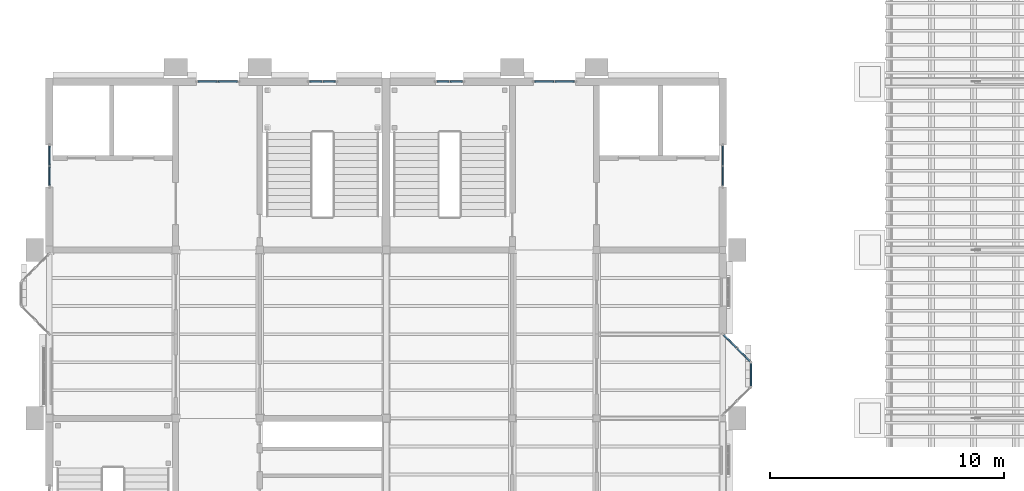
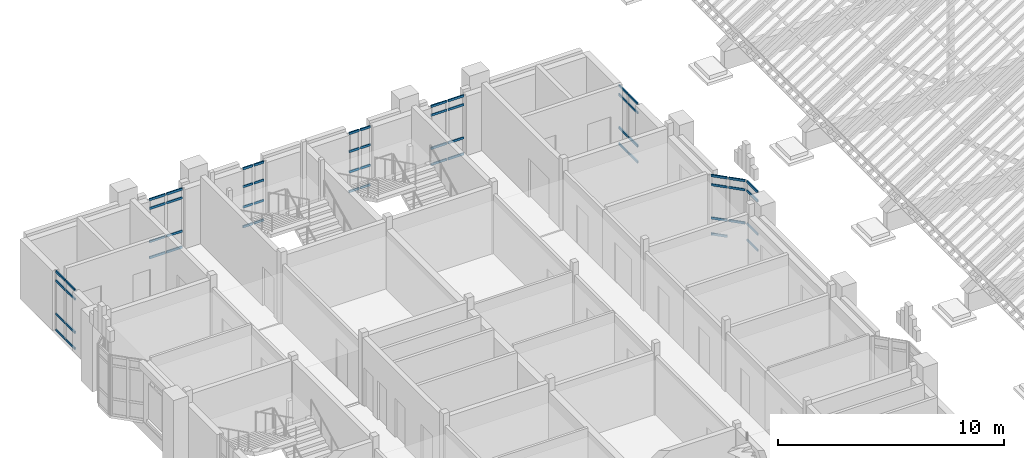
# One storey, part 23 of 71: 59 members, 8 elements without a shape of their own.
"""IFC4 building model written with IfcOpenShell, lengths in metres."""

from ifc_helpers import new_model, si_unit, direction, frame, origin, origin_2d, place, context, subcontext, project, spatial, rectangle, extrude, material, layer, layer_set, material_profile, profile_set, type_object, element, aggregate, save


model = new_model("IFC4")

# Units and contexts
model_context = context("Model", 3, precision=1e-05, world=origin(), true_north=direction((0.0, 1.0)))
body_context = subcontext(model_context, "Body", "Model", "MODEL_VIEW")
ifc_project = project(units=[si_unit("LENGTHUNIT", "METRE"), si_unit("AREAUNIT", "SQUARE_METRE"), si_unit("VOLUMEUNIT", "CUBIC_METRE"), si_unit("PLANEANGLEUNIT", "RADIAN"), si_unit("MASSUNIT", "GRAM", prefix="KILO")], contexts=[model_context])

# Site, building, storey
site_placement = place(None, origin())
site = spatial("IfcSite", under=ifc_project, at=site_placement, CompositionType="ELEMENT")
building_placement = place(site_placement, origin())
building = spatial("IfcBuilding", under=site, at=building_placement, Name="Mazhai Court Health Centre", CompositionType="ELEMENT")
storey_placement = place(building_placement, frame((0.0, 0.0, 10.199951171875)))
storey = spatial("IfcBuildingStorey", under=building, at=storey_placement, Name="L02", CompositionType="ELEMENT", Elevation=10.199951171875)

# Curtain wall, members
ifc_material_1 = material(Name="Teak timber frame, glazed", Category="wood")
ifc_layer_1 = layer(ifc_material_1, 0.10009765625)
ifc_layer_set_1 = layer_set([ifc_layer_1], Name="CURTAIN WALL TIMBER 900")
curtain_wall_type_1 = type_object("IfcCurtainWallType", Name="CURTAIN WALL TIMBER 900", PredefinedType="NOTDEFINED", material=ifc_layer_set_1)
curtain_wall_1_placement = place(storey_placement, origin())
curtain_wall_1 = element("IfcCurtainWall", 1, at=curtain_wall_1_placement, inside=storey, type_object=curtain_wall_type_1, Name="CW-V2-L02-A4", PredefinedType="NOTDEFINED")
ifc_material_2 = material(Name="Teak timber", Category="wood")
ifc_material_profile = material_profile(ifc_material_2, rectangle(XDim=0.06005859375, YDim=0.1201171875, at=origin_2d()), Name="CW TRANSOM 60x120")
ifc_profile_set = profile_set([ifc_material_profile], Name="Teak timber")
member_type = type_object("IfcMemberType", Name="CW TRANSOM 60x120", PredefinedType="USERDEFINED", material=ifc_profile_set)
member_1_placement = place(storey_placement, frame((6.199951171875, 37.760009765625, 0.030029296875), z_axis=(0.0, 1.0, 0.0), x_axis=(-1.0, 0.0, 0.0)))
member_1 = element("IfcMember", 2, at=member_1_placement, type_object=member_type, Name="CW transom 1.1", ObjectType="TRANSOM", PredefinedType="USERDEFINED", context=body_context, shape_type="SweptSolid", body=[
    extrude(rectangle(XDim=0.06005859375, YDim=0.1201171875, at=origin_2d()), origin(), (0.0, 0.0, 1.0), 0.81005859375),
])
member_2_placement = place(storey_placement, frame((6.199951171875, 37.760009765625, 0.900146484375), z_axis=(0.0, 1.0, 0.0), x_axis=(-1.0, 0.0, 0.0)))
member_2 = element("IfcMember", 3, at=member_2_placement, type_object=member_type, Name="CW transom 1.2", ObjectType="TRANSOM", PredefinedType="USERDEFINED", context=body_context, shape_type="SweptSolid", body=[
    extrude(rectangle(XDim=0.06005859375, YDim=0.1201171875, at=origin_2d()), origin(), (0.0, 0.0, 1.0), 0.81005859375),
])
member_3_placement = place(storey_placement, frame((6.199951171875, 37.760009765625, 2.699951171875), z_axis=(0.0, 1.0, 0.0), x_axis=(-1.0, 0.0, 0.0)))
member_3 = element("IfcMember", 4, at=member_3_placement, type_object=member_type, Name="CW transom 1.3", ObjectType="TRANSOM", PredefinedType="USERDEFINED", context=body_context, shape_type="SweptSolid", body=[
    extrude(rectangle(XDim=0.06005859375, YDim=0.1201171875, at=origin_2d()), origin(), (0.0, 0.0, 1.0), 0.81005859375),
])
member_4_placement = place(storey_placement, frame((6.199951171875, 37.760009765625, 3.18994140625), z_axis=(0.0, 1.0, 0.0), x_axis=(-1.0, 0.0, 0.0)))
member_4 = element("IfcMember", 5, at=member_4_placement, type_object=member_type, Name="CW transom 1.4", ObjectType="TRANSOM", PredefinedType="USERDEFINED", context=body_context, shape_type="SweptSolid", body=[
    extrude(rectangle(XDim=0.06005859375, YDim=0.1201171875, at=origin_2d()), origin(), (0.0, 0.0, 1.0), 0.81005859375),
])
member_5_placement = place(storey_placement, frame((6.199951171875, 38.6298828125, 0.030029296875), z_axis=(0.0, 1.0, 0.0), x_axis=(-1.0, 0.0, 0.0)))
member_5 = element("IfcMember", 6, at=member_5_placement, type_object=member_type, Name="CW transom 2.1", ObjectType="TRANSOM", PredefinedType="USERDEFINED", context=body_context, shape_type="SweptSolid", body=[
    extrude(rectangle(XDim=0.06005859375, YDim=0.1201171875, at=origin_2d()), origin(), (0.0, 0.0, 1.0), 0.81005859375),
])
member_6_placement = place(storey_placement, frame((6.199951171875, 38.6298828125, 0.900146484375), z_axis=(0.0, 1.0, 0.0), x_axis=(-1.0, 0.0, 0.0)))
member_6 = element("IfcMember", 7, at=member_6_placement, type_object=member_type, Name="CW transom 2.2", ObjectType="TRANSOM", PredefinedType="USERDEFINED", context=body_context, shape_type="SweptSolid", body=[
    extrude(rectangle(XDim=0.06005859375, YDim=0.1201171875, at=origin_2d()), origin(), (0.0, 0.0, 1.0), 0.81005859375),
])
member_7_placement = place(storey_placement, frame((6.199951171875, 38.6298828125, 2.699951171875), z_axis=(0.0, 1.0, 0.0), x_axis=(-1.0, 0.0, 0.0)))
member_7 = element("IfcMember", 8, at=member_7_placement, type_object=member_type, Name="CW transom 2.3", ObjectType="TRANSOM", PredefinedType="USERDEFINED", context=body_context, shape_type="SweptSolid", body=[
    extrude(rectangle(XDim=0.06005859375, YDim=0.1201171875, at=origin_2d()), origin(), (0.0, 0.0, 1.0), 0.81005859375),
])
member_8_placement = place(storey_placement, frame((6.199951171875, 38.6298828125, 3.18994140625), z_axis=(0.0, 1.0, 0.0), x_axis=(-1.0, 0.0, 0.0)))
member_8 = element("IfcMember", 9, at=member_8_placement, type_object=member_type, Name="CW transom 2.4", ObjectType="TRANSOM", PredefinedType="USERDEFINED", context=body_context, shape_type="SweptSolid", body=[
    extrude(rectangle(XDim=0.06005859375, YDim=0.1201171875, at=origin_2d()), origin(), (0.0, 0.0, 1.0), 0.81005859375),
])
aggregate(curtain_wall_1, [member_1, member_2, member_3, member_4, member_5, member_6, member_7, member_8])

curtain_wall_2_placement = place(storey_placement, origin())
curtain_wall_2 = element("IfcCurtainWall", 10, at=curtain_wall_2_placement, inside=storey, type_object=curtain_wall_type_1, Name="CW-V2-L02-ELIFT0", PredefinedType="NOTDEFINED")
member_9_placement = place(storey_placement, frame((12.56005859375, 42.199951171875, 0.030029296875), z_axis=(1.0, 0.0, 0.0), x_axis=(0.0, 1.0, 0.0)))
member_9 = element("IfcMember", 11, at=member_9_placement, type_object=member_type, Name="CW transom 1.1", ObjectType="TRANSOM", PredefinedType="USERDEFINED", context=body_context, shape_type="SweptSolid", body=[
    extrude(rectangle(XDim=0.06005859375, YDim=0.1201171875, at=origin_2d()), origin(), (0.0, 0.0, 1.0), 0.81005859375),
])
member_10_placement = place(storey_placement, frame((12.56005859375, 42.199951171875, 0.900146484375), z_axis=(1.0, 0.0, 0.0), x_axis=(0.0, 1.0, 0.0)))
member_10 = element("IfcMember", 12, at=member_10_placement, type_object=member_type, Name="CW transom 1.2", ObjectType="TRANSOM", PredefinedType="USERDEFINED", context=body_context, shape_type="SweptSolid", body=[
    extrude(rectangle(XDim=0.06005859375, YDim=0.1201171875, at=origin_2d()), origin(), (0.0, 0.0, 1.0), 0.81005859375),
])
member_11_placement = place(storey_placement, frame((12.56005859375, 42.199951171875, 2.699951171875), z_axis=(1.0, 0.0, 0.0), x_axis=(0.0, 1.0, 0.0)))
member_11 = element("IfcMember", 13, at=member_11_placement, type_object=member_type, Name="CW transom 1.3", ObjectType="TRANSOM", PredefinedType="USERDEFINED", context=body_context, shape_type="SweptSolid", body=[
    extrude(rectangle(XDim=0.06005859375, YDim=0.1201171875, at=origin_2d()), origin(), (0.0, 0.0, 1.0), 0.81005859375),
])
member_12_placement = place(storey_placement, frame((12.56005859375, 42.199951171875, 3.170166015625), z_axis=(1.0, 0.0, 0.0), x_axis=(0.0, 1.0, 0.0)))
member_12 = element("IfcMember", 14, at=member_12_placement, type_object=member_type, Name="CW transom 1.4", ObjectType="TRANSOM", PredefinedType="USERDEFINED", context=body_context, shape_type="SweptSolid", body=[
    extrude(rectangle(XDim=0.06005859375, YDim=0.1201171875, at=origin_2d()), origin(), (0.0, 0.0, 1.0), 0.81005859375),
])
member_13_placement = place(storey_placement, frame((13.429931640625, 42.199951171875, 0.030029296875), z_axis=(1.0, 0.0, 0.0), x_axis=(0.0, 1.0, 0.0)))
member_13 = element("IfcMember", 15, at=member_13_placement, type_object=member_type, Name="CW transom 2.1", ObjectType="TRANSOM", PredefinedType="USERDEFINED", context=body_context, shape_type="SweptSolid", body=[
    extrude(rectangle(XDim=0.06005859375, YDim=0.1201171875, at=origin_2d()), origin(), (0.0, 0.0, 1.0), 0.81005859375),
])
member_14_placement = place(storey_placement, frame((13.429931640625, 42.199951171875, 0.900146484375), z_axis=(1.0, 0.0, 0.0), x_axis=(0.0, 1.0, 0.0)))
member_14 = element("IfcMember", 16, at=member_14_placement, type_object=member_type, Name="CW transom 2.2", ObjectType="TRANSOM", PredefinedType="USERDEFINED", context=body_context, shape_type="SweptSolid", body=[
    extrude(rectangle(XDim=0.06005859375, YDim=0.1201171875, at=origin_2d()), origin(), (0.0, 0.0, 1.0), 0.81005859375),
])
member_15_placement = place(storey_placement, frame((13.429931640625, 42.199951171875, 2.699951171875), z_axis=(1.0, 0.0, 0.0), x_axis=(0.0, 1.0, 0.0)))
member_15 = element("IfcMember", 17, at=member_15_placement, type_object=member_type, Name="CW transom 2.3", ObjectType="TRANSOM", PredefinedType="USERDEFINED", context=body_context, shape_type="SweptSolid", body=[
    extrude(rectangle(XDim=0.06005859375, YDim=0.1201171875, at=origin_2d()), origin(), (0.0, 0.0, 1.0), 0.81005859375),
])
member_16_placement = place(storey_placement, frame((13.429931640625, 42.199951171875, 3.170166015625), z_axis=(1.0, 0.0, 0.0), x_axis=(0.0, 1.0, 0.0)))
member_16 = element("IfcMember", 18, at=member_16_placement, type_object=member_type, Name="CW transom 2.4", ObjectType="TRANSOM", PredefinedType="USERDEFINED", context=body_context, shape_type="SweptSolid", body=[
    extrude(rectangle(XDim=0.06005859375, YDim=0.1201171875, at=origin_2d()), origin(), (0.0, 0.0, 1.0), 0.81005859375),
])
aggregate(curtain_wall_2, [member_9, member_10, member_11, member_12, member_13, member_14, member_15, member_16])

ifc_material_3 = material(Name="Teak timber frame, glazed", Category="wood")
ifc_layer_2 = layer(ifc_material_3, 0.10009765625)
ifc_layer_set_2 = layer_set([ifc_layer_2], Name="CURTAIN WALL TIMBER 600")
curtain_wall_type_2 = type_object("IfcCurtainWallType", Name="CURTAIN WALL TIMBER 600", PredefinedType="NOTDEFINED", material=ifc_layer_set_2)
curtain_wall_3_placement = place(storey_placement, origin())
curtain_wall_3 = element("IfcCurtainWall", 19, at=curtain_wall_3_placement, inside=storey, type_object=curtain_wall_type_2, Name="CW-V2-L02-ESTAIR1", PredefinedType="NOTDEFINED")
member_17_placement = place(storey_placement, frame((17.340087890625, 42.199951171875, 0.030029296875), z_axis=(1.0, 0.0, 0.0), x_axis=(0.0, 1.0, 0.0)))
member_17 = element("IfcMember", 20, at=member_17_placement, type_object=member_type, Name="CW transom 1.1", ObjectType="TRANSOM", PredefinedType="USERDEFINED", context=body_context, shape_type="SweptSolid", body=[
    extrude(rectangle(XDim=0.06005859375, YDim=0.1201171875, at=origin_2d()), origin(), (0.0, 0.0, 1.0), 0.510009765625),
])
member_18_placement = place(storey_placement, frame((17.340087890625, 42.199951171875, 1.10009765625), z_axis=(1.0, 0.0, 0.0), x_axis=(0.0, 1.0, 0.0)))
member_18 = element("IfcMember", 21, at=member_18_placement, type_object=member_type, Name="CW transom 1.2", ObjectType="TRANSOM", PredefinedType="USERDEFINED", context=body_context, shape_type="SweptSolid", body=[
    extrude(rectangle(XDim=0.06005859375, YDim=0.1201171875, at=origin_2d()), origin(), (0.0, 0.0, 1.0), 0.510009765625),
])
member_19_placement = place(storey_placement, frame((17.340087890625, 42.199951171875, 2.199951171875), z_axis=(1.0, 0.0, 0.0), x_axis=(0.0, 1.0, 0.0)))
member_19 = element("IfcMember", 22, at=member_19_placement, type_object=member_type, Name="CW transom 1.3", ObjectType="TRANSOM", PredefinedType="USERDEFINED", context=body_context, shape_type="SweptSolid", body=[
    extrude(rectangle(XDim=0.06005859375, YDim=0.1201171875, at=origin_2d()), origin(), (0.0, 0.0, 1.0), 0.510009765625),
])
member_20_placement = place(storey_placement, frame((17.340087890625, 42.199951171875, 3.170166015625), z_axis=(1.0, 0.0, 0.0), x_axis=(0.0, 1.0, 0.0)))
member_20 = element("IfcMember", 23, at=member_20_placement, type_object=member_type, Name="CW transom 1.4", ObjectType="TRANSOM", PredefinedType="USERDEFINED", context=body_context, shape_type="SweptSolid", body=[
    extrude(rectangle(XDim=0.06005859375, YDim=0.1201171875, at=origin_2d()), origin(), (0.0, 0.0, 1.0), 0.510009765625),
])
member_21_placement = place(storey_placement, frame((17.909912109375, 42.199951171875, 0.030029296875), z_axis=(1.0, 0.0, 0.0), x_axis=(0.0, 1.0, 0.0)))
member_21 = element("IfcMember", 24, at=member_21_placement, type_object=member_type, Name="CW transom 2.1", ObjectType="TRANSOM", PredefinedType="USERDEFINED", context=body_context, shape_type="SweptSolid", body=[
    extrude(rectangle(XDim=0.06005859375, YDim=0.1201171875, at=origin_2d()), origin(), (0.0, 0.0, 1.0), 0.510009765625),
])
member_22_placement = place(storey_placement, frame((17.909912109375, 42.199951171875, 1.10009765625), z_axis=(1.0, 0.0, 0.0), x_axis=(0.0, 1.0, 0.0)))
member_22 = element("IfcMember", 25, at=member_22_placement, type_object=member_type, Name="CW transom 2.2", ObjectType="TRANSOM", PredefinedType="USERDEFINED", context=body_context, shape_type="SweptSolid", body=[
    extrude(rectangle(XDim=0.06005859375, YDim=0.1201171875, at=origin_2d()), origin(), (0.0, 0.0, 1.0), 0.510009765625),
])
member_23_placement = place(storey_placement, frame((17.909912109375, 42.199951171875, 2.199951171875), z_axis=(1.0, 0.0, 0.0), x_axis=(0.0, 1.0, 0.0)))
member_23 = element("IfcMember", 26, at=member_23_placement, type_object=member_type, Name="CW transom 2.3", ObjectType="TRANSOM", PredefinedType="USERDEFINED", context=body_context, shape_type="SweptSolid", body=[
    extrude(rectangle(XDim=0.06005859375, YDim=0.1201171875, at=origin_2d()), origin(), (0.0, 0.0, 1.0), 0.510009765625),
])
member_24_placement = place(storey_placement, frame((17.909912109375, 42.199951171875, 3.170166015625), z_axis=(1.0, 0.0, 0.0), x_axis=(0.0, 1.0, 0.0)))
member_24 = element("IfcMember", 27, at=member_24_placement, type_object=member_type, Name="CW transom 2.4", ObjectType="TRANSOM", PredefinedType="USERDEFINED", context=body_context, shape_type="SweptSolid", body=[
    extrude(rectangle(XDim=0.06005859375, YDim=0.1201171875, at=origin_2d()), origin(), (0.0, 0.0, 1.0), 0.510009765625),
])
aggregate(curtain_wall_3, [member_17, member_18, member_19, member_20, member_21, member_22, member_23, member_24])

curtain_wall_4_placement = place(storey_placement, origin())
curtain_wall_4 = element("IfcCurtainWall", 28, at=curtain_wall_4_placement, inside=storey, type_object=curtain_wall_type_1, Name="CW-ORIEL-V5-L02-B30-1", PredefinedType="NOTDEFINED")
member_25_placement = place(storey_placement, frame((36.199951171875, 29.199951171875, 0.030029296875), z_axis=(0.0, 1.0, 0.0), x_axis=(-1.0, 0.0, 0.0)))
member_25 = element("IfcMember", 29, at=member_25_placement, type_object=member_type, Name="CW transom 1.1", ObjectType="TRANSOM", PredefinedType="USERDEFINED", context=body_context, shape_type="SweptSolid", body=[
    extrude(rectangle(XDim=0.06005859375, YDim=0.1201171875, at=origin_2d()), origin(), (0.0, 0.0, 1.0), 0.93994140625),
])
member_26_placement = place(storey_placement, frame((36.199951171875, 29.199951171875, 0.900146484375), z_axis=(0.0, 1.0, 0.0), x_axis=(-1.0, 0.0, 0.0)))
member_26 = element("IfcMember", 30, at=member_26_placement, type_object=member_type, Name="CW transom 1.2", ObjectType="TRANSOM", PredefinedType="USERDEFINED", context=body_context, shape_type="SweptSolid", body=[
    extrude(rectangle(XDim=0.06005859375, YDim=0.1201171875, at=origin_2d()), origin(), (0.0, 0.0, 1.0), 0.93994140625),
])
member_27_placement = place(storey_placement, frame((36.199951171875, 29.199951171875, 2.699951171875), z_axis=(0.0, 1.0, 0.0), x_axis=(-1.0, 0.0, 0.0)))
member_27 = element("IfcMember", 31, at=member_27_placement, type_object=member_type, Name="CW transom 1.3", ObjectType="TRANSOM", PredefinedType="USERDEFINED", context=body_context, shape_type="SweptSolid", body=[
    extrude(rectangle(XDim=0.06005859375, YDim=0.1201171875, at=origin_2d()), origin(), (0.0, 0.0, 1.0), 0.93994140625),
])
member_28_placement = place(storey_placement, frame((36.199951171875, 29.199951171875, 3.18994140625), z_axis=(0.0, 1.0, 0.0), x_axis=(-1.0, 0.0, 0.0)))
member_28 = element("IfcMember", 32, at=member_28_placement, type_object=member_type, Name="CW transom 1.4", ObjectType="TRANSOM", PredefinedType="USERDEFINED", context=body_context, shape_type="SweptSolid", body=[
    extrude(rectangle(XDim=0.06005859375, YDim=0.1201171875, at=origin_2d()), origin(), (0.0, 0.0, 1.0), 0.93994140625),
])
aggregate(curtain_wall_4, [member_25, member_26, member_27, member_28])

curtain_wall_5_placement = place(storey_placement, origin())
curtain_wall_5 = element("IfcCurtainWall", 33, at=curtain_wall_5_placement, inside=storey, type_object=curtain_wall_type_1, Name="CW-ORIEL-V5-L02-B30-2", PredefinedType="NOTDEFINED")
member_29_placement = place(storey_placement, frame((36.157470703125, 30.242431640625, 0.900146484375), z_axis=(-0.707106781187, 0.707106781187, 0.0), x_axis=(-0.707106781187, -0.707106781187, 0.0)))
member_29 = element("IfcMember", 34, at=member_29_placement, type_object=member_type, Name="CW transom 1.2", ObjectType="TRANSOM", PredefinedType="USERDEFINED", context=body_context, shape_type="SweptSolid", body=[
    extrude(rectangle(XDim=0.06005859375, YDim=0.1201171875, at=origin_2d()), origin(), (0.0, 0.0, 1.0), 0.758544921875),
])
member_30_placement = place(storey_placement, frame((36.157470703125, 30.242431640625, 2.699951171875), z_axis=(-0.707106781187, 0.707106781187, 0.0), x_axis=(-0.707106781187, -0.707106781187, 0.0)))
member_30 = element("IfcMember", 35, at=member_30_placement, type_object=member_type, Name="CW transom 1.3", ObjectType="TRANSOM", PredefinedType="USERDEFINED", context=body_context, shape_type="SweptSolid", body=[
    extrude(rectangle(XDim=0.06005859375, YDim=0.1201171875, at=origin_2d()), origin(), (0.0, 0.0, 1.0), 0.758544921875),
])
member_31_placement = place(storey_placement, frame((36.157470703125, 30.242431640625, 3.18994140625), z_axis=(-0.707106781187, 0.707106781187, 0.0), x_axis=(-0.707106781187, -0.707106781187, 0.0)))
member_31 = element("IfcMember", 36, at=member_31_placement, type_object=member_type, Name="CW transom 1.4", ObjectType="TRANSOM", PredefinedType="USERDEFINED", context=body_context, shape_type="SweptSolid", body=[
    extrude(rectangle(XDim=0.06005859375, YDim=0.1201171875, at=origin_2d()), origin(), (0.0, 0.0, 1.0), 0.758544921875),
])
member_32_placement = place(storey_placement, frame((35.578857421875, 30.8212890625, 0.030029296875), z_axis=(-0.707106781187, 0.707106781187, 0.0), x_axis=(-0.707106781187, -0.707106781187, 0.0)))
member_32 = element("IfcMember", 37, at=member_32_placement, type_object=member_type, Name="CW transom 2.1", ObjectType="TRANSOM", PredefinedType="USERDEFINED", context=body_context, shape_type="SweptSolid", body=[
    extrude(rectangle(XDim=0.06005859375, YDim=0.1201171875, at=origin_2d()), origin(), (0.0, 0.0, 1.0), 0.758544921875),
])
member_33_placement = place(storey_placement, frame((35.578857421875, 30.8212890625, 0.900146484375), z_axis=(-0.707106781187, 0.707106781187, 0.0), x_axis=(-0.707106781187, -0.707106781187, 0.0)))
member_33 = element("IfcMember", 38, at=member_33_placement, type_object=member_type, Name="CW transom 2.2", ObjectType="TRANSOM", PredefinedType="USERDEFINED", context=body_context, shape_type="SweptSolid", body=[
    extrude(rectangle(XDim=0.06005859375, YDim=0.1201171875, at=origin_2d()), origin(), (0.0, 0.0, 1.0), 0.758544921875),
])
member_34_placement = place(storey_placement, frame((35.578857421875, 30.8212890625, 2.699951171875), z_axis=(-0.707106781187, 0.707106781187, 0.0), x_axis=(-0.707106781187, -0.707106781187, 0.0)))
member_34 = element("IfcMember", 39, at=member_34_placement, type_object=member_type, Name="CW transom 2.3", ObjectType="TRANSOM", PredefinedType="USERDEFINED", context=body_context, shape_type="SweptSolid", body=[
    extrude(rectangle(XDim=0.06005859375, YDim=0.1201171875, at=origin_2d()), origin(), (0.0, 0.0, 1.0), 0.758544921875),
])
member_35_placement = place(storey_placement, frame((35.578857421875, 30.8212890625, 3.18994140625), z_axis=(-0.707106781187, 0.707106781187, 0.0), x_axis=(-0.707106781187, -0.707106781187, 0.0)))
member_35 = element("IfcMember", 40, at=member_35_placement, type_object=member_type, Name="CW transom 2.4", ObjectType="TRANSOM", PredefinedType="USERDEFINED", context=body_context, shape_type="SweptSolid", body=[
    extrude(rectangle(XDim=0.06005859375, YDim=0.1201171875, at=origin_2d()), origin(), (0.0, 0.0, 1.0), 0.758544921875),
])
aggregate(curtain_wall_5, [member_29, member_30, member_31, member_32, member_33, member_34, member_35])

curtain_wall_6_placement = place(storey_placement, origin())
curtain_wall_6 = element("IfcCurtainWall", 41, at=curtain_wall_6_placement, inside=storey, type_object=curtain_wall_type_1, Name="CW-V5-L02-B4", PredefinedType="NOTDEFINED")
member_36_placement = place(storey_placement, frame((35.0, 39.43994140625, 0.030029296875), z_axis=(0.0, -1.0, 0.0), x_axis=(1.0, 0.0, 0.0)))
member_36 = element("IfcMember", 42, at=member_36_placement, type_object=member_type, Name="CW transom 1.1", ObjectType="TRANSOM", PredefinedType="USERDEFINED", context=body_context, shape_type="SweptSolid", body=[
    extrude(rectangle(XDim=0.06005859375, YDim=0.1201171875, at=origin_2d()), origin(), (0.0, 0.0, 1.0), 0.81005859375),
])
member_37_placement = place(storey_placement, frame((35.0, 39.43994140625, 0.900146484375), z_axis=(0.0, -1.0, 0.0), x_axis=(1.0, 0.0, 0.0)))
member_37 = element("IfcMember", 43, at=member_37_placement, type_object=member_type, Name="CW transom 1.2", ObjectType="TRANSOM", PredefinedType="USERDEFINED", context=body_context, shape_type="SweptSolid", body=[
    extrude(rectangle(XDim=0.06005859375, YDim=0.1201171875, at=origin_2d()), origin(), (0.0, 0.0, 1.0), 0.81005859375),
])
member_38_placement = place(storey_placement, frame((35.0, 39.43994140625, 2.699951171875), z_axis=(0.0, -1.0, 0.0), x_axis=(1.0, 0.0, 0.0)))
member_38 = element("IfcMember", 44, at=member_38_placement, type_object=member_type, Name="CW transom 1.3", ObjectType="TRANSOM", PredefinedType="USERDEFINED", context=body_context, shape_type="SweptSolid", body=[
    extrude(rectangle(XDim=0.06005859375, YDim=0.1201171875, at=origin_2d()), origin(), (0.0, 0.0, 1.0), 0.81005859375),
])
member_39_placement = place(storey_placement, frame((35.0, 39.43994140625, 3.18994140625), z_axis=(0.0, -1.0, 0.0), x_axis=(1.0, 0.0, 0.0)))
member_39 = element("IfcMember", 45, at=member_39_placement, type_object=member_type, Name="CW transom 1.4", ObjectType="TRANSOM", PredefinedType="USERDEFINED", context=body_context, shape_type="SweptSolid", body=[
    extrude(rectangle(XDim=0.06005859375, YDim=0.1201171875, at=origin_2d()), origin(), (0.0, 0.0, 1.0), 0.81005859375),
])
member_40_placement = place(storey_placement, frame((35.0, 38.570068359375, 0.030029296875), z_axis=(0.0, -1.0, 0.0), x_axis=(1.0, 0.0, 0.0)))
member_40 = element("IfcMember", 46, at=member_40_placement, type_object=member_type, Name="CW transom 2.1", ObjectType="TRANSOM", PredefinedType="USERDEFINED", context=body_context, shape_type="SweptSolid", body=[
    extrude(rectangle(XDim=0.06005859375, YDim=0.1201171875, at=origin_2d()), origin(), (0.0, 0.0, 1.0), 0.81005859375),
])
member_41_placement = place(storey_placement, frame((35.0, 38.570068359375, 0.900146484375), z_axis=(0.0, -1.0, 0.0), x_axis=(1.0, 0.0, 0.0)))
member_41 = element("IfcMember", 47, at=member_41_placement, type_object=member_type, Name="CW transom 2.2", ObjectType="TRANSOM", PredefinedType="USERDEFINED", context=body_context, shape_type="SweptSolid", body=[
    extrude(rectangle(XDim=0.06005859375, YDim=0.1201171875, at=origin_2d()), origin(), (0.0, 0.0, 1.0), 0.81005859375),
])
member_42_placement = place(storey_placement, frame((35.0, 38.570068359375, 2.699951171875), z_axis=(0.0, -1.0, 0.0), x_axis=(1.0, 0.0, 0.0)))
member_42 = element("IfcMember", 48, at=member_42_placement, type_object=member_type, Name="CW transom 2.3", ObjectType="TRANSOM", PredefinedType="USERDEFINED", context=body_context, shape_type="SweptSolid", body=[
    extrude(rectangle(XDim=0.06005859375, YDim=0.1201171875, at=origin_2d()), origin(), (0.0, 0.0, 1.0), 0.81005859375),
])
member_43_placement = place(storey_placement, frame((35.0, 38.570068359375, 3.18994140625), z_axis=(0.0, -1.0, 0.0), x_axis=(1.0, 0.0, 0.0)))
member_43 = element("IfcMember", 49, at=member_43_placement, type_object=member_type, Name="CW transom 2.4", ObjectType="TRANSOM", PredefinedType="USERDEFINED", context=body_context, shape_type="SweptSolid", body=[
    extrude(rectangle(XDim=0.06005859375, YDim=0.1201171875, at=origin_2d()), origin(), (0.0, 0.0, 1.0), 0.81005859375),
])
aggregate(curtain_wall_6, [member_36, member_37, member_38, member_39, member_40, member_41, member_42, member_43])

curtain_wall_7_placement = place(storey_placement, origin())
curtain_wall_7 = element("IfcCurtainWall", 50, at=curtain_wall_7_placement, inside=storey, type_object=curtain_wall_type_2, Name="CW-V5-L02-ESTAIR0", PredefinedType="NOTDEFINED")
member_44_placement = place(storey_placement, frame((22.780029296875, 42.199951171875, 0.030029296875), z_axis=(1.0, 0.0, 0.0), x_axis=(0.0, 1.0, 0.0)))
member_44 = element("IfcMember", 51, at=member_44_placement, type_object=member_type, Name="CW transom 1.1", ObjectType="TRANSOM", PredefinedType="USERDEFINED", context=body_context, shape_type="SweptSolid", body=[
    extrude(rectangle(XDim=0.06005859375, YDim=0.1201171875, at=origin_2d()), origin(), (0.0, 0.0, 1.0), 0.510009765625),
])
member_45_placement = place(storey_placement, frame((22.780029296875, 42.199951171875, 1.10009765625), z_axis=(1.0, 0.0, 0.0), x_axis=(0.0, 1.0, 0.0)))
member_45 = element("IfcMember", 52, at=member_45_placement, type_object=member_type, Name="CW transom 1.2", ObjectType="TRANSOM", PredefinedType="USERDEFINED", context=body_context, shape_type="SweptSolid", body=[
    extrude(rectangle(XDim=0.06005859375, YDim=0.1201171875, at=origin_2d()), origin(), (0.0, 0.0, 1.0), 0.510009765625),
])
member_46_placement = place(storey_placement, frame((22.780029296875, 42.199951171875, 2.199951171875), z_axis=(1.0, 0.0, 0.0), x_axis=(0.0, 1.0, 0.0)))
member_46 = element("IfcMember", 53, at=member_46_placement, type_object=member_type, Name="CW transom 1.3", ObjectType="TRANSOM", PredefinedType="USERDEFINED", context=body_context, shape_type="SweptSolid", body=[
    extrude(rectangle(XDim=0.06005859375, YDim=0.1201171875, at=origin_2d()), origin(), (0.0, 0.0, 1.0), 0.510009765625),
])
member_47_placement = place(storey_placement, frame((22.780029296875, 42.199951171875, 3.170166015625), z_axis=(1.0, 0.0, 0.0), x_axis=(0.0, 1.0, 0.0)))
member_47 = element("IfcMember", 54, at=member_47_placement, type_object=member_type, Name="CW transom 1.4", ObjectType="TRANSOM", PredefinedType="USERDEFINED", context=body_context, shape_type="SweptSolid", body=[
    extrude(rectangle(XDim=0.06005859375, YDim=0.1201171875, at=origin_2d()), origin(), (0.0, 0.0, 1.0), 0.510009765625),
])
member_48_placement = place(storey_placement, frame((23.35009765625, 42.199951171875, 0.030029296875), z_axis=(1.0, 0.0, 0.0), x_axis=(0.0, 1.0, 0.0)))
member_48 = element("IfcMember", 55, at=member_48_placement, type_object=member_type, Name="CW transom 2.1", ObjectType="TRANSOM", PredefinedType="USERDEFINED", context=body_context, shape_type="SweptSolid", body=[
    extrude(rectangle(XDim=0.06005859375, YDim=0.1201171875, at=origin_2d()), origin(), (0.0, 0.0, 1.0), 0.510009765625),
])
member_49_placement = place(storey_placement, frame((23.35009765625, 42.199951171875, 1.10009765625), z_axis=(1.0, 0.0, 0.0), x_axis=(0.0, 1.0, 0.0)))
member_49 = element("IfcMember", 56, at=member_49_placement, type_object=member_type, Name="CW transom 2.2", ObjectType="TRANSOM", PredefinedType="USERDEFINED", context=body_context, shape_type="SweptSolid", body=[
    extrude(rectangle(XDim=0.06005859375, YDim=0.1201171875, at=origin_2d()), origin(), (0.0, 0.0, 1.0), 0.510009765625),
])
member_50_placement = place(storey_placement, frame((23.35009765625, 42.199951171875, 2.199951171875), z_axis=(1.0, 0.0, 0.0), x_axis=(0.0, 1.0, 0.0)))
member_50 = element("IfcMember", 57, at=member_50_placement, type_object=member_type, Name="CW transom 2.3", ObjectType="TRANSOM", PredefinedType="USERDEFINED", context=body_context, shape_type="SweptSolid", body=[
    extrude(rectangle(XDim=0.06005859375, YDim=0.1201171875, at=origin_2d()), origin(), (0.0, 0.0, 1.0), 0.510009765625),
])
member_51_placement = place(storey_placement, frame((23.35009765625, 42.199951171875, 3.170166015625), z_axis=(1.0, 0.0, 0.0), x_axis=(0.0, 1.0, 0.0)))
member_51 = element("IfcMember", 58, at=member_51_placement, type_object=member_type, Name="CW transom 2.4", ObjectType="TRANSOM", PredefinedType="USERDEFINED", context=body_context, shape_type="SweptSolid", body=[
    extrude(rectangle(XDim=0.06005859375, YDim=0.1201171875, at=origin_2d()), origin(), (0.0, 0.0, 1.0), 0.510009765625),
])
aggregate(curtain_wall_7, [member_44, member_45, member_46, member_47, member_48, member_49, member_50, member_51])

curtain_wall_8_placement = place(storey_placement, origin())
curtain_wall_8 = element("IfcCurtainWall", 59, at=curtain_wall_8_placement, inside=storey, type_object=curtain_wall_type_1, Name="CW-V5-L02-ELIFT1", PredefinedType="NOTDEFINED")
member_52_placement = place(storey_placement, frame((26.9599609375, 42.199951171875, 0.030029296875), z_axis=(1.0, 0.0, 0.0), x_axis=(0.0, 1.0, 0.0)))
member_52 = element("IfcMember", 60, at=member_52_placement, type_object=member_type, Name="CW transom 1.1", ObjectType="TRANSOM", PredefinedType="USERDEFINED", context=body_context, shape_type="SweptSolid", body=[
    extrude(rectangle(XDim=0.06005859375, YDim=0.1201171875, at=origin_2d()), origin(), (0.0, 0.0, 1.0), 0.81005859375),
])
member_53_placement = place(storey_placement, frame((26.9599609375, 42.199951171875, 0.900146484375), z_axis=(1.0, 0.0, 0.0), x_axis=(0.0, 1.0, 0.0)))
member_53 = element("IfcMember", 61, at=member_53_placement, type_object=member_type, Name="CW transom 1.2", ObjectType="TRANSOM", PredefinedType="USERDEFINED", context=body_context, shape_type="SweptSolid", body=[
    extrude(rectangle(XDim=0.06005859375, YDim=0.1201171875, at=origin_2d()), origin(), (0.0, 0.0, 1.0), 0.81005859375),
])
member_54_placement = place(storey_placement, frame((26.9599609375, 42.199951171875, 2.699951171875), z_axis=(1.0, 0.0, 0.0), x_axis=(0.0, 1.0, 0.0)))
member_54 = element("IfcMember", 62, at=member_54_placement, type_object=member_type, Name="CW transom 1.3", ObjectType="TRANSOM", PredefinedType="USERDEFINED", context=body_context, shape_type="SweptSolid", body=[
    extrude(rectangle(XDim=0.06005859375, YDim=0.1201171875, at=origin_2d()), origin(), (0.0, 0.0, 1.0), 0.81005859375),
])
member_55_placement = place(storey_placement, frame((26.9599609375, 42.199951171875, 3.170166015625), z_axis=(1.0, 0.0, 0.0), x_axis=(0.0, 1.0, 0.0)))
member_55 = element("IfcMember", 63, at=member_55_placement, type_object=member_type, Name="CW transom 1.4", ObjectType="TRANSOM", PredefinedType="USERDEFINED", context=body_context, shape_type="SweptSolid", body=[
    extrude(rectangle(XDim=0.06005859375, YDim=0.1201171875, at=origin_2d()), origin(), (0.0, 0.0, 1.0), 0.81005859375),
])
member_56_placement = place(storey_placement, frame((27.830078125, 42.199951171875, 0.030029296875), z_axis=(1.0, 0.0, 0.0), x_axis=(0.0, 1.0, 0.0)))
member_56 = element("IfcMember", 64, at=member_56_placement, type_object=member_type, Name="CW transom 2.1", ObjectType="TRANSOM", PredefinedType="USERDEFINED", context=body_context, shape_type="SweptSolid", body=[
    extrude(rectangle(XDim=0.06005859375, YDim=0.1201171875, at=origin_2d()), origin(), (0.0, 0.0, 1.0), 0.809814453125),
])
member_57_placement = place(storey_placement, frame((27.830078125, 42.199951171875, 0.900146484375), z_axis=(1.0, 0.0, 0.0), x_axis=(0.0, 1.0, 0.0)))
member_57 = element("IfcMember", 65, at=member_57_placement, type_object=member_type, Name="CW transom 2.2", ObjectType="TRANSOM", PredefinedType="USERDEFINED", context=body_context, shape_type="SweptSolid", body=[
    extrude(rectangle(XDim=0.06005859375, YDim=0.1201171875, at=origin_2d()), origin(), (0.0, 0.0, 1.0), 0.809814453125),
])
member_58_placement = place(storey_placement, frame((27.830078125, 42.199951171875, 2.699951171875), z_axis=(1.0, 0.0, 0.0), x_axis=(0.0, 1.0, 0.0)))
member_58 = element("IfcMember", 66, at=member_58_placement, type_object=member_type, Name="CW transom 2.3", ObjectType="TRANSOM", PredefinedType="USERDEFINED", context=body_context, shape_type="SweptSolid", body=[
    extrude(rectangle(XDim=0.06005859375, YDim=0.1201171875, at=origin_2d()), origin(), (0.0, 0.0, 1.0), 0.809814453125),
])
member_59_placement = place(storey_placement, frame((27.830078125, 42.199951171875, 3.170166015625), z_axis=(1.0, 0.0, 0.0), x_axis=(0.0, 1.0, 0.0)))
member_59 = element("IfcMember", 67, at=member_59_placement, type_object=member_type, Name="CW transom 2.4", ObjectType="TRANSOM", PredefinedType="USERDEFINED", context=body_context, shape_type="SweptSolid", body=[
    extrude(rectangle(XDim=0.06005859375, YDim=0.1201171875, at=origin_2d()), origin(), (0.0, 0.0, 1.0), 0.809814453125),
])
aggregate(curtain_wall_8, [member_52, member_53, member_54, member_55, member_56, member_57, member_58, member_59])

save(model, "model.ifc")
